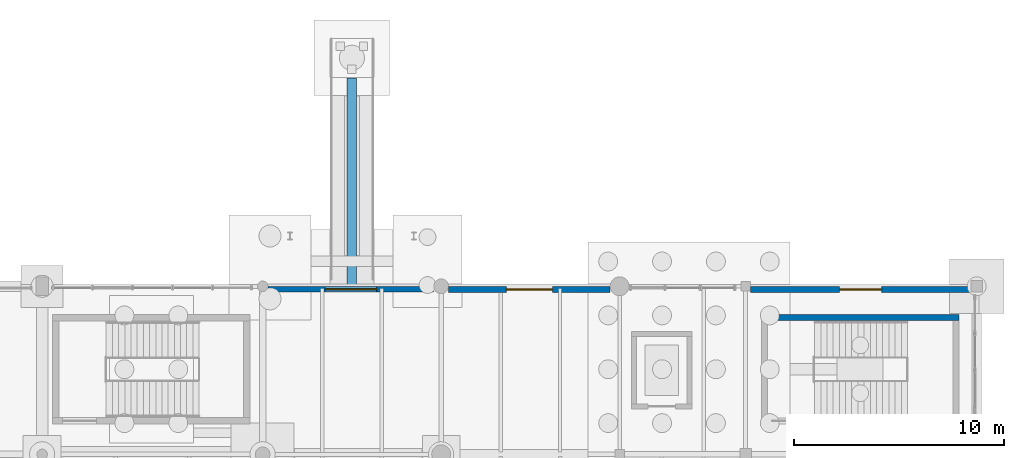
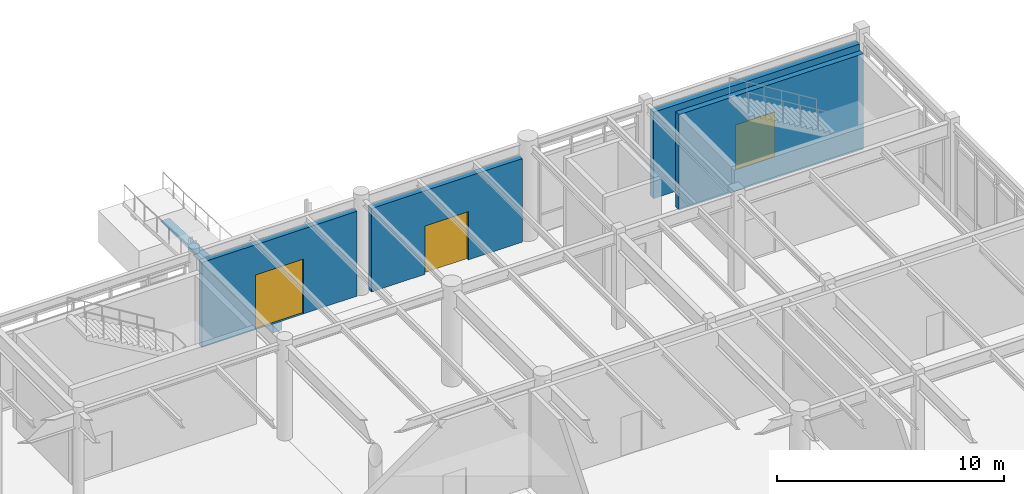
# One storey, part 184 of 203: 5 walls, 3 doors, 3 openings.
"""IFC4 building model written with IfcOpenShell, lengths in metres."""

import ifcopenshell
import ifcopenshell.guid

model = None  # the IFC model being written
_history = None  # IfcOwnerHistory: only IFC2X3 demands one
_inside = {}  # id of a spatial element -> (the spatial element, [elements in it])
_under = {}  # id of a project, library or spatial element -> (it, [spatial elements below it])
_declared = {}  # id of a project -> (the project, [libraries it declares])
_typed = {}  # id of a type object -> (the type object, [elements of that type])
_made_of = {}  # id of a material, layer set ... -> (it, [elements and type objects made of it])


def new_model(schema):
    """Start an empty IFC model of exactly this schema.

    Asked for "IFC4X3", IfcOpenShell would pick the latest addendum, in which some entities
    have other attributes; the version numbers below select the first issue.
    IFC2X3 requires an IfcOwnerHistory on every rooted entity: one is made here for all.
    """
    global model, _history
    if schema == "IFC4X3":
        model = ifcopenshell.file(schema_version=(4, 3, 0, 0))
    else:
        model = ifcopenshell.file(schema=schema)
    _inside.clear()
    _under.clear()
    _declared.clear()
    _typed.clear()
    _made_of.clear()
    _history = None
    if model.schema == "IFC2X3":
        org = make("IfcOrganization", Name="unknown")
        user = make(
            "IfcPersonAndOrganization",
            ThePerson=make("IfcPerson", FamilyName="unknown"),
            TheOrganization=org,
        )
        app = make(
            "IfcApplication",
            ApplicationDeveloper=org,
            Version="unknown",
            ApplicationFullName="unknown",
            ApplicationIdentifier="unknown",
        )
        _history = make(
            "IfcOwnerHistory",
            OwningUser=user,
            OwningApplication=app,
            ChangeAction="ADDED",
            CreationDate=0,
        )
    return model


def make(cls, **values):
    """One entity of the class cls with the attributes given. An attribute that is None is left unset."""
    return model.create_entity(
        cls, **{name: value for name, value in values.items() if value is not None}
    )


def rooted(cls, **values):
    """An entity with a GlobalId (a new one), such as an element, a storey or a relation."""
    return make(cls, GlobalId=ifcopenshell.guid.new(), OwnerHistory=_history, **values)


def si_unit(unit_type, name, prefix=None):
    """IfcSIUnit, for example si_unit("LENGTHUNIT", "METRE", prefix="MILLI")."""
    return make("IfcSIUnit", UnitType=unit_type, Prefix=prefix, Name=name)


def assignment(units):
    """IfcUnitAssignment: the units of a project."""
    return None if units is None else make("IfcUnitAssignment", Units=units)


def point(xyz):
    """IfcCartesianPoint."""
    return None if xyz is None else make("IfcCartesianPoint", Coordinates=xyz)


def direction(xyz):
    """IfcDirection."""
    return None if xyz is None else make("IfcDirection", DirectionRatios=xyz)


def frame(location, z_axis=None, x_axis=None):
    """IfcAxis2Placement3D, a coordinate frame: its origin and axes. An axis left out is left unset."""
    return make(
        "IfcAxis2Placement3D",
        Location=point(location),
        Axis=direction(z_axis),
        RefDirection=direction(x_axis),
    )


def frame_2d(location, x_axis=None):
    """IfcAxis2Placement2D, a coordinate frame in the plane: its origin and x axis."""
    return make(
        "IfcAxis2Placement2D", Location=point(location), RefDirection=direction(x_axis)
    )


def origin():
    """The frame at (0, 0, 0) with its axes left unset."""
    return frame((0.0, 0.0, 0.0))


def place(relative_to, where):
    """IfcLocalPlacement: puts the frame where relative to a parent placement (None: the world)."""
    return make(
        "IfcLocalPlacement", PlacementRelTo=relative_to, RelativePlacement=where
    )


def context(
    kind, dimensions, precision=None, world=None, true_north=None, identifier=None
):
    """IfcGeometricRepresentationContext, for example the 3D "Model" context."""
    return make(
        "IfcGeometricRepresentationContext",
        ContextIdentifier=identifier,
        ContextType=kind,
        CoordinateSpaceDimension=dimensions,
        Precision=precision,
        WorldCoordinateSystem=world,
        TrueNorth=true_north,
    )


def subcontext(parent, identifier, kind, view, scale=None):
    """IfcGeometricRepresentationSubContext, for example "Body" below "Model"."""
    return make(
        "IfcGeometricRepresentationSubContext",
        ContextIdentifier=identifier,
        ContextType=kind,
        ParentContext=parent,
        TargetScale=scale,
        TargetView=view,
    )


def project(units=None, contexts=None):
    """IfcProject with its units and contexts."""
    return rooted(
        "IfcProject",
        Name="project",
        RepresentationContexts=contexts,
        UnitsInContext=assignment(units),
    )


def spatial(cls, under=None, at=None, **own):
    """A site, building, storey or space (cls), placed at a placement, below another one or the project."""
    s = rooted(cls, ObjectPlacement=at, **own)
    if under is not None:
        _under.setdefault(under.id(), (under, []))[1].append(s)
    return s


def polyline(points):
    """IfcPolyline through the points."""
    return make("IfcPolyline", Points=[point(p) for p in points])


def profile(cls, at=None, kind="AREA", **sizes):
    """A parametric profile (cls). Its sizes go by their IFC names, for example OverallWidth=200.0."""
    return make(cls, ProfileType=kind, Position=at, **sizes)


def rectangle(**sizes):
    """IfcRectangleProfileDef."""
    return profile("IfcRectangleProfileDef", **sizes)


def outline(outer, holes=None, kind="AREA"):
    """IfcArbitraryClosedProfileDef: a profile drawn as a closed curve; with holes, ...WithVoids."""
    if holes is None:
        return make("IfcArbitraryClosedProfileDef", ProfileType=kind, OuterCurve=outer)
    return make(
        "IfcArbitraryProfileDefWithVoids",
        ProfileType=kind,
        OuterCurve=outer,
        InnerCurves=holes,
    )


def extrude(swept, where, along, depth):
    """IfcExtrudedAreaSolid: the profile swept, set in the frame where, extruded along a direction by depth."""
    return make(
        "IfcExtrudedAreaSolid",
        SweptArea=swept,
        Position=where,
        ExtrudedDirection=direction(along),
        Depth=depth,
    )


def shape(context_of_items, identifier, shape_type, items):
    """IfcShapeRepresentation: the items that make up one representation, for example the "Body"."""
    return make(
        "IfcShapeRepresentation",
        ContextOfItems=context_of_items,
        RepresentationIdentifier=identifier,
        RepresentationType=shape_type,
        Items=items,
    )


def material(Name=None, Category=None):
    """IfcMaterial."""
    return make("IfcMaterial", Name=Name, Category=Category)


def layer(
    of_material, thickness, ventilated=None, Name=None, Category=None, Priority=None
):
    """IfcMaterialLayer: one layer of a wall or slab, of a material (None: an air gap)."""
    return make(
        "IfcMaterialLayer",
        Material=of_material,
        LayerThickness=thickness,
        IsVentilated=ventilated,
        Name=Name,
        Category=Category,
        Priority=Priority,
    )


def layer_set(layers, Name=None):
    """IfcMaterialLayerSet."""
    return make("IfcMaterialLayerSet", MaterialLayers=layers, LayerSetName=Name)


def made_of(thing, what):
    """Note that an element or type object is made of a material, layer set ...; save() writes the relation."""
    if what is not None:
        _made_of.setdefault(what.id(), (what, []))[1].append(thing)
    return thing


def type_object(cls, material=None, **own):
    """A type object (cls), such as IfcWallType, which elements share."""
    return made_of(rooted(cls, **own), material)


def element(
    cls,
    number,
    at=None,
    inside=None,
    cuts=None,
    type_object=None,
    material=None,
    context=None,
    identifier="Body",
    shape_type=None,
    held_by="IfcProductDefinitionShape",
    body=None,
    shapes=None,
    **own,
):
    """One element of the class cls, such as IfcWall. Its Tag is "e" and its number.

    at: its placement. inside: the storey or other place that contains it. cuts: it is an
    opening in that element (IfcRelVoidsElement). A single representation is given by context,
    identifier, shape_type and body (its items); several are given by shapes. held_by: the class
    of the entity that holds the representations. save() writes the other relations.
    """
    e = rooted(cls, Tag="e%d" % number, ObjectPlacement=at, **own)
    if body is not None:
        shapes = [shape(context, identifier, shape_type, body)]
    if shapes is not None:
        e.Representation = make(held_by, Representations=shapes)
    if inside is not None:
        _inside.setdefault(inside.id(), (inside, []))[1].append(e)
    if cuts is not None:
        rooted(
            "IfcRelVoidsElement", RelatingBuildingElement=cuts, RelatedOpeningElement=e
        )
    if type_object is not None:
        _typed.setdefault(type_object.id(), (type_object, []))[1].append(e)
    return made_of(e, material)


def fill(opening, filler):
    """IfcRelFillsElement: the door or window that sits in an opening."""
    return rooted(
        "IfcRelFillsElement",
        RelatingOpeningElement=opening,
        RelatedBuildingElement=filler,
    )


def aggregate(whole, parts):
    """IfcRelAggregates: a whole, such as a stair, and the parts it consists of."""
    return rooted("IfcRelAggregates", RelatingObject=whole, RelatedObjects=parts)


def save(model, path):
    """Write the relations noted so far, then the file.

    IfcRelAggregates (storeys below a building ...), IfcRelContainedInSpatialStructure (elements
    in a storey), IfcRelDefinesByType, IfcRelAssociatesMaterial and IfcRelDeclares: one each for
    every whole, place, type object, material and project.
    """
    for whole, parts in _under.values():
        aggregate(whole, parts)
    for where, things in _inside.values():
        rooted(
            "IfcRelContainedInSpatialStructure",
            RelatedElements=things,
            RelatingStructure=where,
        )
    for kind, things in _typed.values():
        rooted("IfcRelDefinesByType", RelatedObjects=things, RelatingType=kind)
    for what, things in _made_of.values():
        rooted("IfcRelAssociatesMaterial", RelatedObjects=things, RelatingMaterial=what)
    for by, libraries in _declared.values():
        rooted("IfcRelDeclares", RelatingContext=by, RelatedDefinitions=libraries)
    model.write(path)


model = new_model("IFC4")

# Units and contexts
model_context = context("Model", 3, precision=1e-05, world=origin(), true_north=direction((0.0, 1.0)))
body_context = subcontext(model_context, "Body", "Model", "MODEL_VIEW")
ifc_project = project(units=[si_unit("LENGTHUNIT", "METRE"), si_unit("AREAUNIT", "SQUARE_METRE"), si_unit("VOLUMEUNIT", "CUBIC_METRE"), si_unit("PLANEANGLEUNIT", "RADIAN"), si_unit("MASSUNIT", "GRAM", prefix="KILO"), si_unit("THERMODYNAMICTEMPERATUREUNIT", "KELVIN"), si_unit("POWERUNIT", "WATT")], contexts=[model_context])

# Site, building, storey
site_placement = place(None, origin())
site = spatial("IfcSite", under=ifc_project, at=site_placement, CompositionType="ELEMENT")
building_placement = place(site_placement, origin())
building = spatial("IfcBuilding", under=site, at=building_placement, Name="Tepalcoro Natatorium and Aquatics Centre", CompositionType="ELEMENT")
storey_placement = place(building_placement, origin())
storey = spatial("IfcBuildingStorey", under=building, at=storey_placement, Name="L00", CompositionType="ELEMENT", Elevation=0.0)

# Wall, opening, door
ifc_material_1 = material(Name="Precast Concrete C45/55 (fc 45 MPa)", Category="concrete")
ifc_layer_1 = layer(ifc_material_1, 0.260009765625)
ifc_layer_set_1 = layer_set([ifc_layer_1], Name="Precast Concrete C45/55 (fc 45 MPa)")
wall_type_1 = type_object("IfcWallType", Name="WL_EXT_GABLE_260", PredefinedType="SOLIDWALL", material=ifc_layer_set_1)
wall_1_placement = place(storey_placement, frame((142.25390625, 117.8701171875, 0.0), z_axis=(0.0, 0.0, 1.0), x_axis=(1.0, 0.0, 0.0)))
wall_1 = element("IfcWall", 1, at=wall_1_placement, inside=storey, type_object=wall_type_1, Name="V5 L00 N Volcanic Basalt Envelope Wall", PredefinedType="SOLIDWALL", context=body_context, shape_type="SweptSolid", body=[
    extrude(rectangle(XDim=7.89208984375, YDim=0.260009765625, at=frame_2d((3.946044921875, 0.0))), origin(), (0.0, 0.0, 1.0), 4.573974609375),
])
opening_1_placement = place(wall_1_placement, frame((2.720947265625, 0.0, 0.0)))
opening_1 = element("IfcOpeningElement", 2, at=opening_1_placement, cuts=wall_1, Name="Opening ED5040", PredefinedType="OPENING", context=body_context, shape_type="SweptSolid", body=[
    extrude(rectangle(XDim=2.449951171875, YDim=2.949951171875, at=frame_2d((1.22509765625, 1.47509765625))), frame((0.0, 0.14208984375, 0.0), z_axis=(0.0, -1.0, 0.0), x_axis=(1.0, 0.0, 0.0)), (0.0, 0.0, 1.0), 0.283935546875),
])
ifc_material_2 = material(Name="Bronze-Anodised Extruded Aluminium Alloy EN AW-6063 T6", Category="aluminium")
door_type_1 = type_object("IfcDoorType", Name="DR_245x300_FOYER", OperationType="NOTDEFINED", PredefinedType="DOOR", material=ifc_material_2)
door_1_placement = place(opening_1_placement, origin())
door_1 = element("IfcDoor", 3, at=door_1_placement, inside=storey, type_object=door_type_1, Name="V5 North Broadcast & VIP Entrance", OperationType="DOUBLE_DOOR_SINGLE_SWING", OverallHeight=2.949951171875, OverallWidth=2.449951171875, PredefinedType="DOOR", context=body_context, shape_type="SweptSolid", body=[
    extrude(rectangle(XDim=2.449951171875, YDim=2.949951171875, at=frame_2d((1.22509765625, 1.47509765625))), frame((0.0, 0.02490234375, 0.0), z_axis=(0.0, -1.0, 0.0), x_axis=(1.0, 0.0, 0.0)), (0.0, 0.0, 1.0), 0.050048828125),
])
fill(opening_1, door_1)

ifc_material_3 = material(Name="Jalisco Cantera Rosa Volcanic Tuff Ashlar Masonry", Category="masonry")
ifc_layer_2 = layer(ifc_material_3, 0.304931640625)
ifc_layer_set_2 = layer_set([ifc_layer_2], Name="Jalisco Cantera Rosa Volcanic Tuff Ashlar Masonry")
wall_type_2 = type_object("IfcWallType", Name="WL_EXT_TERRACOTTA_300", PredefinedType="SOLIDWALL", material=ifc_layer_set_2)
wall_2_placement = place(storey_placement, frame((150.85400390625, 117.847412109375, 0.0), z_axis=(0.0, 0.0, 1.0), x_axis=(1.0, 0.0, 0.0)))
wall_2 = element("IfcWall", 4, at=wall_2_placement, inside=storey, type_object=wall_type_2, Name="V5 L00 N Volcanic Basalt Envelope Wall", PredefinedType="SOLIDWALL", context=body_context, shape_type="SweptSolid", body=[
    extrude(rectangle(XDim=7.69189453125, YDim=0.304931640625, at=frame_2d((3.845947265625, 0.0))), origin(), (0.0, 0.0, 1.0), 4.498046875),
])
opening_2_placement = place(wall_2_placement, frame((2.74609375, 0.0, 0.0)))
opening_2 = element("IfcOpeningElement", 5, at=opening_2_placement, cuts=wall_2, Name="Opening ED5041", PredefinedType="OPENING", context=body_context, shape_type="SweptSolid", body=[
    extrude(rectangle(XDim=2.199951171875, YDim=2.60009765625, at=frame_2d((1.10009765625, 1.300048828125))), frame((0.0, 0.16455078125, 0.0), z_axis=(0.0, -1.0, 0.0), x_axis=(1.0, 0.0, 0.0)), (0.0, 0.0, 1.0), 0.328857421875),
])
door_type_2 = type_object("IfcDoorType", Name="DR_220x260_EXT", OperationType="NOTDEFINED", PredefinedType="DOOR", material=ifc_material_2)
door_2_placement = place(opening_2_placement, origin())
door_2 = element("IfcDoor", 6, at=door_2_placement, inside=storey, type_object=door_type_2, Name="V5 North Foyer Exit", OperationType="DOUBLE_DOOR_SINGLE_SWING", OverallHeight=2.60009765625, OverallWidth=2.199951171875, PredefinedType="DOOR", context=body_context, shape_type="SweptSolid", body=[
    extrude(rectangle(XDim=2.199951171875, YDim=2.60009765625, at=frame_2d((1.10009765625, 1.300048828125))), frame((0.0, 0.02490234375, 0.0), z_axis=(0.0, -1.0, 0.0), x_axis=(1.0, 0.0, 0.0)), (0.0, 0.0, 1.0), 0.050048828125),
])
fill(opening_2, door_2)

wall_3_placement = place(storey_placement, frame((165.22900390625, 117.847412109375, 0.0), z_axis=(0.0, 0.0, 1.0), x_axis=(1.0, 0.0, 0.0)))
wall_3 = element("IfcWall", 7, at=wall_3_placement, inside=storey, type_object=wall_type_2, Name="V5 L00 N Volcanic Basalt Envelope Wall", PredefinedType="SOLIDWALL", context=body_context, shape_type="SweptSolid", body=[
    extrude(rectangle(XDim=10.491943359375, YDim=0.304931640625, at=frame_2d((5.24609375, 0.0))), origin(), (0.0, 0.0, 1.0), 4.64990234375),
])
opening_3_placement = place(wall_3_placement, frame((4.24609375, 0.0, 0.0)))
opening_3 = element("IfcOpeningElement", 8, at=opening_3_placement, cuts=wall_3, Name="Opening ED5042", PredefinedType="OPENING", context=body_context, shape_type="SweptSolid", body=[
    extrude(rectangle(XDim=2.0, YDim=2.39990234375, at=frame_2d((1.0, 1.199951171875))), frame((0.0, 0.16455078125, 0.0), z_axis=(0.0, -1.0, 0.0), x_axis=(1.0, 0.0, 0.0)), (0.0, 0.0, 1.0), 0.328857421875),
])
door_type_3 = type_object("IfcDoorType", Name="DR_200x240_EXT", OperationType="NOTDEFINED", PredefinedType="DOOR", material=ifc_material_2)
door_3_placement = place(opening_3_placement, origin())
door_3 = element("IfcDoor", 9, at=door_3_placement, inside=storey, type_object=door_type_3, Name="V5 North Exit Discharge E", OperationType="DOUBLE_DOOR_SINGLE_SWING", OverallHeight=2.39990234375, OverallWidth=2.0, PredefinedType="DOOR", context=body_context, shape_type="SweptSolid", body=[
    extrude(rectangle(XDim=2.0, YDim=2.39990234375, at=frame_2d((1.0, 1.199951171875))), frame((0.0, 0.02490234375, 0.0), z_axis=(0.0, -1.0, 0.0), x_axis=(1.0, 0.0, 0.0)), (0.0, 0.0, 1.0), 0.050048828125),
])
fill(opening_3, door_3)

# Walls
ifc_material_4 = material(Name="Concrete C40/50 (fc 40 MPa)", Category="concrete")
ifc_layer_3 = layer(ifc_material_4, 0.449951171875)
ifc_layer_set_3 = layer_set([ifc_layer_3], Name="Concrete C40/50 (fc 40 MPa)")
wall_type_3 = type_object("IfcWallType", Name="WL_RET_450", PredefinedType="USERDEFINED", material=ifc_layer_set_3)
wall_4_placement = place(storey_placement, frame((146.25, 127.919921875, -0.699951171875), z_axis=(0.0, 0.0, 1.0), x_axis=(0.0, -1.0, 0.0)))
element("IfcWall", 10, at=wall_4_placement, inside=storey, type_object=wall_type_3, Name="RMP06 Ramp Supporting Stem Wall", ObjectType="RETAINING WALL", PredefinedType="USERDEFINED", context=body_context, shape_type="SweptSolid", body=[
    extrude(outline(polyline([(0.0, 0.0), (9.9150390625, 0.0), (9.9150390625, 0.483154296875), (0.0, 0.025634765625), (0.0, 0.0)])), frame((0.0, 0.22509765625, 0.0), z_axis=(0.0, -1.0, 0.0), x_axis=(1.0, 0.0, 0.0)), (0.0, 0.0, 1.0), 0.449951171875),
])
ifc_layer_4 = layer(ifc_material_4, 0.280029296875)
ifc_layer_set_4 = layer_set([ifc_layer_4], Name="Concrete C40/50 (fc 40 MPa)")
wall_type_4 = type_object("IfcWallType", Name="WL_SHEAR_280", PredefinedType="SHEAR", material=ifc_layer_set_4)
wall_5_placement = place(storey_placement, frame((165.75, 116.510009765625, 0.0), z_axis=(0.0, 0.0, 1.0), x_axis=(1.0, 0.0, 0.0)))
element("IfcWall", 11, at=wall_5_placement, inside=storey, type_object=wall_type_4, Name="ST10 Core Shear Wall N L00", PredefinedType="SHEAR", context=body_context, shape_type="SweptSolid", body=[
    extrude(rectangle(XDim=9.39990234375, YDim=0.280029296875, at=frame_2d((4.699951171875, 0.0))), origin(), (0.0, 0.0, 1.0), 5.139892578125),
])

save(model, "model.ifc")
